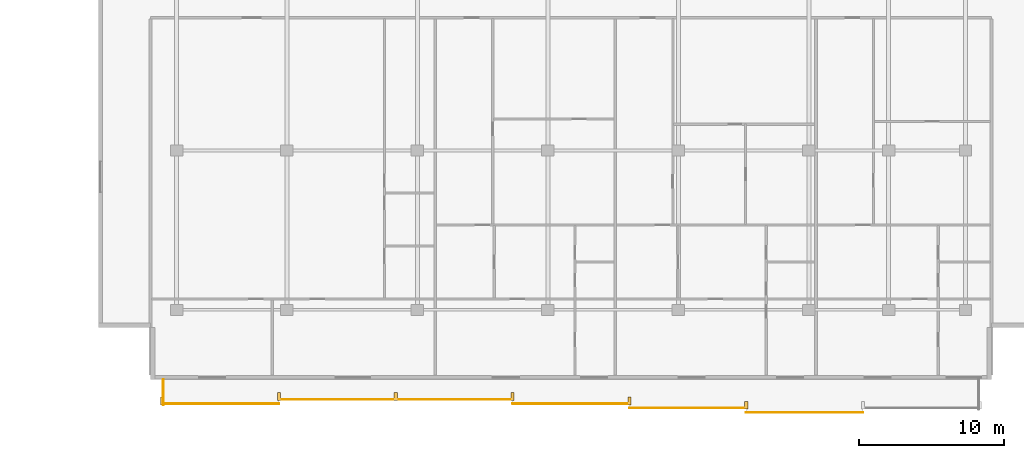
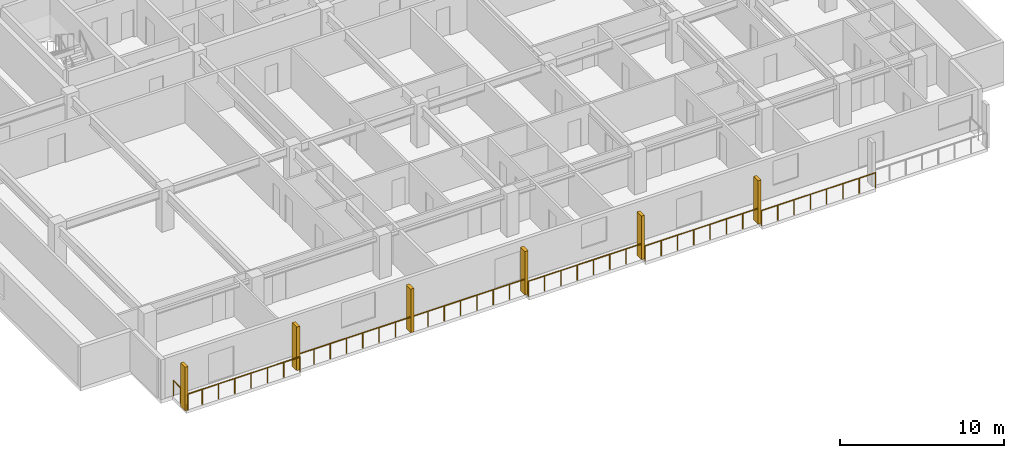
# One storey, part 18 of 22: 6 railings, 6 shading devices.
"""IFC4 building model written with IfcOpenShell, lengths in metres."""

from ifc_helpers import new_model, si_unit, direction, frame, origin, origin_2d, place, context, subcontext, project, spatial, rectangle, circle, extrude, material, type_object, element, save


model = new_model("IFC4")

# Units and contexts
model_context = context("Model", 3, precision=1e-05, world=origin(), true_north=direction((0.0, 1.0)))
body_context = subcontext(model_context, "Body", "Model", "MODEL_VIEW")
ifc_project = project(units=[si_unit("LENGTHUNIT", "METRE"), si_unit("AREAUNIT", "SQUARE_METRE"), si_unit("VOLUMEUNIT", "CUBIC_METRE"), si_unit("PLANEANGLEUNIT", "RADIAN"), si_unit("MASSUNIT", "GRAM", prefix="KILO")], contexts=[model_context])

# Site, building, storey
site_placement = place(None, origin())
site = spatial("IfcSite", under=ifc_project, at=site_placement, CompositionType="ELEMENT")
building_placement = place(site_placement, origin())
building = spatial("IfcBuilding", under=site, at=building_placement, Name="Korimba Cascade Residences", CompositionType="ELEMENT")
storey_placement = place(building_placement, frame((0.0, 0.0, 110.050048828125)))
storey = spatial("IfcBuildingStorey", under=building, at=storey_placement, Name="L31", CompositionType="ELEMENT", Elevation=110.050048828125)

# Railings
ifc_material_1 = material(Name="Laminated Glass and Bronze Balustrade", Category="glass")
railing_type = type_object("IfcRailingType", Name="RLG-LOG-1150", PredefinedType="BALUSTRADE", material=ifc_material_1)
railing_1_placement = place(storey_placement, frame((73.5, -10.669921875, 0.0)))
element("IfcRailing", 1, at=railing_1_placement, inside=storey, type_object=railing_type, Name="L31 Perimeter Guardrail RLG-L31-T2-LOG-01", PredefinedType="BALUSTRADE", context=body_context, shape_type="SweptSolid", body=[
    extrude(circle(Radius=0.02392578125, at=origin_2d()), frame((0.0, 0.0, 1.1259765625), z_axis=(1.0, 0.0, 0.0), x_axis=(0.0, 1.0, 0.0)), (0.0, 0.0, 1.0), 8.05712890625),
    extrude(circle(Radius=0.02099609375, at=origin_2d()), origin(), (0.0, 0.0, 1.0), 1.101806640625),
    extrude(circle(Radius=0.02099609375, at=origin_2d()), frame((1.151123046875, 0.0, 0.0)), (0.0, 0.0, 1.0), 1.101806640625),
    extrude(circle(Radius=0.02099609375, at=origin_2d()), frame((2.302001953125, 0.0, 0.0)), (0.0, 0.0, 1.0), 1.101806640625),
    extrude(circle(Radius=0.02099609375, at=origin_2d()), frame((3.453125, 0.0, 0.0)), (0.0, 0.0, 1.0), 1.101806640625),
    extrude(circle(Radius=0.02099609375, at=origin_2d()), frame((4.60400390625, 0.0, 0.0)), (0.0, 0.0, 1.0), 1.101806640625),
    extrude(circle(Radius=0.02099609375, at=origin_2d()), frame((5.755126953125, 0.0, 0.0)), (0.0, 0.0, 1.0), 1.101806640625),
    extrude(circle(Radius=0.02099609375, at=origin_2d()), frame((6.906005859375, 0.0, 0.0)), (0.0, 0.0, 1.0), 1.101806640625),
    extrude(circle(Radius=0.02099609375, at=origin_2d()), frame((8.05712890625, 0.0, 0.0)), (0.0, 0.0, 1.0), 1.101806640625),
])
railing_2_placement = place(storey_placement, frame((81.55712890625, -10.3701171875, 0.0)))
element("IfcRailing", 2, at=railing_2_placement, inside=storey, type_object=railing_type, Name="L31 Perimeter Guardrail RLG-L31-T2-LOG-02", PredefinedType="BALUSTRADE", context=body_context, shape_type="SweptSolid", body=[
    extrude(circle(Radius=0.02392578125, at=origin_2d()), frame((0.0, 0.0, 1.1259765625), z_axis=(1.0, 0.0, 0.0), x_axis=(0.0, 1.0, 0.0)), (0.0, 0.0, 1.0), 16.1142578125),
    extrude(circle(Radius=0.02099609375, at=origin_2d()), origin(), (0.0, 0.0, 1.0), 1.101806640625),
    extrude(circle(Radius=0.02099609375, at=origin_2d()), frame((1.151123046875, 0.0, 0.0)), (0.0, 0.0, 1.0), 1.101806640625),
    extrude(circle(Radius=0.02099609375, at=origin_2d()), frame((2.302001953125, 0.0, 0.0)), (0.0, 0.0, 1.0), 1.101806640625),
    extrude(circle(Radius=0.02099609375, at=origin_2d()), frame((3.453125, 0.0, 0.0)), (0.0, 0.0, 1.0), 1.101806640625),
    extrude(circle(Radius=0.02099609375, at=origin_2d()), frame((4.60400390625, 0.0, 0.0)), (0.0, 0.0, 1.0), 1.101806640625),
    extrude(circle(Radius=0.02099609375, at=origin_2d()), frame((5.755126953125, 0.0, 0.0)), (0.0, 0.0, 1.0), 1.101806640625),
    extrude(circle(Radius=0.02099609375, at=origin_2d()), frame((6.906005859375, 0.0, 0.0)), (0.0, 0.0, 1.0), 1.101806640625),
    extrude(circle(Radius=0.02099609375, at=origin_2d()), frame((8.05712890625, 0.0, 0.0)), (0.0, 0.0, 1.0), 1.101806640625),
    extrude(circle(Radius=0.02099609375, at=origin_2d()), frame((9.208251953125, 0.0, 0.0)), (0.0, 0.0, 1.0), 1.101806640625),
    extrude(circle(Radius=0.02099609375, at=origin_2d()), frame((10.359130859375, 0.0, 0.0)), (0.0, 0.0, 1.0), 1.101806640625),
    extrude(circle(Radius=0.02099609375, at=origin_2d()), frame((11.51025390625, 0.0, 0.0)), (0.0, 0.0, 1.0), 1.101806640625),
    extrude(circle(Radius=0.02099609375, at=origin_2d()), frame((12.6611328125, 0.0, 0.0)), (0.0, 0.0, 1.0), 1.101806640625),
    extrude(circle(Radius=0.02099609375, at=origin_2d()), frame((13.812255859375, 0.0, 0.0)), (0.0, 0.0, 1.0), 1.101806640625),
    extrude(circle(Radius=0.02099609375, at=origin_2d()), frame((14.963134765625, 0.0, 0.0)), (0.0, 0.0, 1.0), 1.101806640625),
    extrude(circle(Radius=0.02099609375, at=origin_2d()), frame((16.1142578125, 0.0, 0.0)), (0.0, 0.0, 1.0), 1.101806640625),
])
for number, where, name in (
    (3, (97.67138671875, -10.669921875, 0.0), "L31 Perimeter Guardrail RLG-L31-T2-LOG-03"),
    (4, (105.728515625, -10.969970703125, 0.0), "L31 Perimeter Guardrail RLG-L31-T2-LOG-04"),
):
    element("IfcRailing", number, at=place(storey_placement, frame(where)), inside=storey, type_object=railing_type, Name=name, PredefinedType="BALUSTRADE", context=body_context, shape_type="SweptSolid", body=[
        extrude(circle(Radius=0.02392578125, at=origin_2d()), frame((0.0, 0.0, 1.1259765625), z_axis=(1.0, 0.0, 0.0), x_axis=(0.0, 1.0, 0.0)), (0.0, 0.0, 1.0), 8.05712890625),
        extrude(circle(Radius=0.02099609375, at=origin_2d()), origin(), (0.0, 0.0, 1.0), 1.101806640625),
        extrude(circle(Radius=0.02099609375, at=origin_2d()), frame((1.151123046875, 0.0, 0.0)), (0.0, 0.0, 1.0), 1.101806640625),
        extrude(circle(Radius=0.02099609375, at=origin_2d()), frame((2.302001953125, 0.0, 0.0)), (0.0, 0.0, 1.0), 1.101806640625),
        extrude(circle(Radius=0.02099609375, at=origin_2d()), frame((3.453125, 0.0, 0.0)), (0.0, 0.0, 1.0), 1.101806640625),
        extrude(circle(Radius=0.02099609375, at=origin_2d()), frame((4.60400390625, 0.0, 0.0)), (0.0, 0.0, 1.0), 1.101806640625),
        extrude(circle(Radius=0.02099609375, at=origin_2d()), frame((5.755126953125, 0.0, 0.0)), (0.0, 0.0, 1.0), 1.101806640625),
        extrude(circle(Radius=0.02099609375, at=origin_2d()), frame((6.906005859375, 0.0, 0.0)), (0.0, 0.0, 1.0), 1.101806640625),
        extrude(circle(Radius=0.02099609375, at=origin_2d()), frame((8.05712890625, 0.0, 0.0)), (0.0, 0.0, 1.0), 1.101806640625),
    ])
railing_3_placement = place(storey_placement, frame((113.78564453125, -11.27001953125, 0.0)))
element("IfcRailing", 5, at=railing_3_placement, inside=storey, type_object=railing_type, Name="L31 Perimeter Guardrail RLG-L31-T2-LOG-05", PredefinedType="BALUSTRADE", context=body_context, shape_type="SweptSolid", body=[
    extrude(circle(Radius=0.02392578125, at=origin_2d()), frame((0.0, 0.0, 1.1259765625), z_axis=(1.0, 0.0, 0.0), x_axis=(0.0, 1.0, 0.0)), (0.0, 0.0, 1.0), 8.057373046875),
    extrude(circle(Radius=0.02099609375, at=origin_2d()), origin(), (0.0, 0.0, 1.0), 1.101806640625),
    extrude(circle(Radius=0.02099609375, at=origin_2d()), frame((1.151123046875, 0.0, 0.0)), (0.0, 0.0, 1.0), 1.101806640625),
    extrude(circle(Radius=0.02099609375, at=origin_2d()), frame((2.302001953125, 0.0, 0.0)), (0.0, 0.0, 1.0), 1.101806640625),
    extrude(circle(Radius=0.02099609375, at=origin_2d()), frame((3.453125, 0.0, 0.0)), (0.0, 0.0, 1.0), 1.101806640625),
    extrude(circle(Radius=0.02099609375, at=origin_2d()), frame((4.604248046875, 0.0, 0.0)), (0.0, 0.0, 1.0), 1.101806640625),
    extrude(circle(Radius=0.02099609375, at=origin_2d()), frame((5.75537109375, 0.0, 0.0)), (0.0, 0.0, 1.0), 1.101806640625),
    extrude(circle(Radius=0.02099609375, at=origin_2d()), frame((6.90625, 0.0, 0.0)), (0.0, 0.0, 1.0), 1.101806640625),
    extrude(circle(Radius=0.02099609375, at=origin_2d()), frame((8.057373046875, 0.0, 0.0)), (0.0, 0.0, 1.0), 1.101806640625),
])
railing_4_placement = place(storey_placement, frame((73.580078125, -9.0, 0.0)))
element("IfcRailing", 6, at=railing_4_placement, inside=storey, type_object=railing_type, Name="L31 Perimeter Guardrail RLG-L31-T2-LOG-08", PredefinedType="BALUSTRADE", context=body_context, shape_type="SweptSolid", body=[
    extrude(circle(Radius=0.02392578125, at=origin_2d()), frame((0.0, 0.0, 1.1259765625), z_axis=(0.0, -1.0, 0.0), x_axis=(1.0, 0.0, 0.0)), (0.0, 0.0, 1.0), 1.75),
    extrude(circle(Radius=0.02099609375, at=origin_2d()), origin(), (0.0, 0.0, 1.0), 1.101806640625),
    extrude(circle(Radius=0.02099609375, at=origin_2d()), frame((0.0, -0.875, 0.0)), (0.0, 0.0, 1.0), 1.101806640625),
    extrude(circle(Radius=0.02099609375, at=origin_2d()), frame((0.0, -1.75, 0.0)), (0.0, 0.0, 1.0), 1.101806640625),
])

# Shading devices
ifc_material_2 = material(Name="Honed Sandstone Precast Fin", Category="masonry")
shading_device_type = type_object("IfcShadingDeviceType", Name="SHD-FIN-550", PredefinedType="USERDEFINED", material=ifc_material_2)
for number, where, z_axis, x_axis, name in (
    (7, (73.5, -10.47509765625, 0.0), (0.0, 0.0, 1.0), (1.0, 0.0, 0.0), "L31 T2 Warm-Stone Loggia Fin 1"),
    (8, (81.55712890625, -10.175048828125, 0.0), (0.0, 0.0, 1.0), (1.0, 0.0, 0.0), "L31 T2 Warm-Stone Loggia Fin 2"),
    (9, (89.6142578125, -10.175048828125, 0.0), (0.0, 0.0, 1.0), (1.0, 0.0, 0.0), "L31 T2 Warm-Stone Loggia Fin 3"),
    (10, (97.67138671875, -10.175048828125, 0.0), (0.0, 0.0, 1.0), (1.0, 0.0, 0.0), "L31 T2 Warm-Stone Loggia Fin 4"),
    (11, (105.728515625, -10.47509765625, 0.0), (0.0, 0.0, 1.0), (1.0, 0.0, 0.0), "L31 T2 Warm-Stone Loggia Fin 5"),
    (12, (113.78564453125, -10.77490234375, 0.0), (0.0, 0.0, 1.0), (1.0, 0.0, 0.0), "L31 T2 Warm-Stone Loggia Fin 6"),
):
    element("IfcShadingDevice", number, at=place(storey_placement, frame(where, z_axis=z_axis, x_axis=x_axis)), inside=storey, type_object=shading_device_type, Name=name, ObjectType="FIN", PredefinedType="USERDEFINED", context=body_context, shape_type="SweptSolid", body=[
        extrude(rectangle(XDim=0.219970703125, YDim=0.550048828125, at=origin_2d()), origin(), (0.0, 0.0, 1.0), 3.25),
    ])

save(model, "model.ifc")
